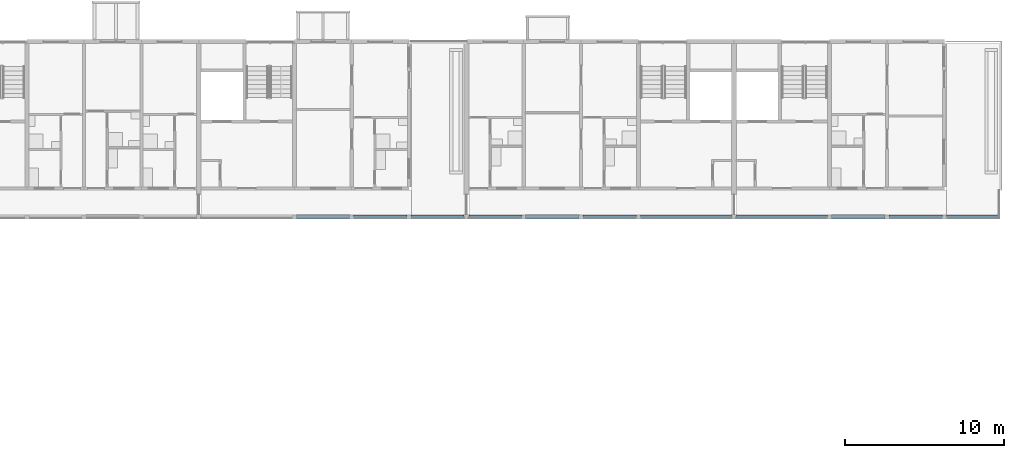
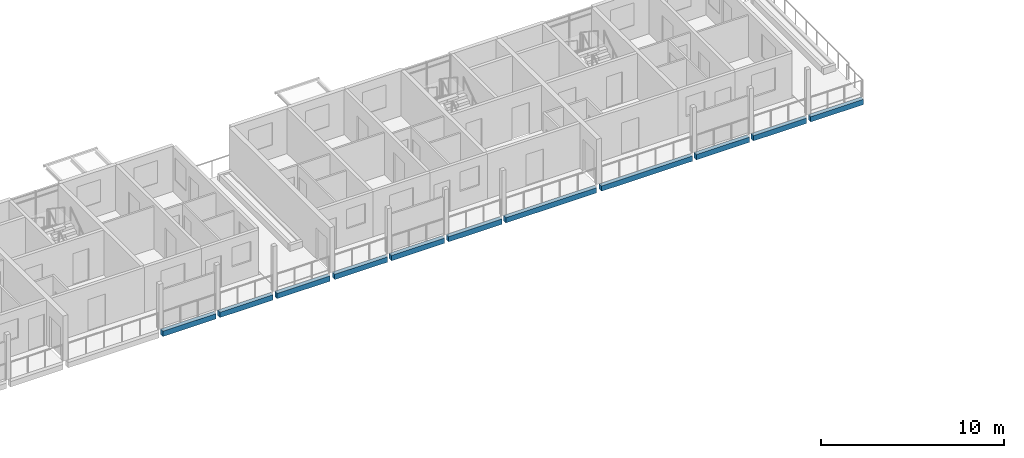
# One storey, part 19 of 94: 11 beams.
"""IFC4 building model written with IfcOpenShell, lengths in metres."""

from ifc_helpers import new_model, si_unit, direction, frame, origin, origin_2d, place, context, subcontext, project, spatial, rectangle, extrude, material, material_profile, profile_set, type_object, element, save


model = new_model("IFC4")

# Units and contexts
model_context = context("Model", 3, precision=1e-05, world=origin(), true_north=direction((0.0, 1.0)))
body_context = subcontext(model_context, "Body", "Model", "MODEL_VIEW")
ifc_project = project(units=[si_unit("LENGTHUNIT", "METRE"), si_unit("AREAUNIT", "SQUARE_METRE"), si_unit("VOLUMEUNIT", "CUBIC_METRE"), si_unit("PLANEANGLEUNIT", "RADIAN"), si_unit("MASSUNIT", "GRAM", prefix="KILO")], contexts=[model_context])

# Site, building, storey
site_placement = place(None, origin())
site = spatial("IfcSite", under=ifc_project, at=site_placement, CompositionType="ELEMENT")
building_placement = place(site_placement, origin())
building = spatial("IfcBuilding", under=site, at=building_placement, Name="Ridgestep Commons", CompositionType="ELEMENT")
storey_placement = place(building_placement, frame((0.0, 0.0, 21.0)))
storey = spatial("IfcBuildingStorey", under=building, at=storey_placement, Name="L07", CompositionType="ELEMENT", Elevation=21.0)

# Beams
ifc_material = material(Name="Precast concrete C40/50", Category="concrete")
ifc_material_profile = material_profile(ifc_material, rectangle(XDim=0.25, YDim=0.35009765625, at=origin_2d()), Name="PC 250x350")
ifc_profile_set = profile_set([ifc_material_profile], Name="Precast concrete C40/50")
beam_type = type_object("IfcBeamType", Name="Loggia edge beam 250 x 350", PredefinedType="SPANDREL", material=ifc_profile_set)
beam_1_placement = place(storey_placement, frame((203.324951171875, 66.125, -0.375), z_axis=(1.0, 0.0, 0.0), x_axis=(0.0, 1.0, 0.0)))
element("IfcBeam", 1, at=beam_1_placement, inside=storey, type_object=beam_type, Name="Loggia edge beam C4T3 L07", PredefinedType="SPANDREL", context=body_context, shape_type="SweptSolid", body=[
    extrude(rectangle(XDim=0.25, YDim=0.35009765625, at=origin_2d()), origin(), (0.0, 0.0, 1.0), 3.35009765625),
])
beam_2_placement = place(storey_placement, frame((206.925048828125, 66.125, -0.375), z_axis=(1.0, 0.0, 0.0), x_axis=(0.0, 1.0, 0.0)))
element("IfcBeam", 2, at=beam_2_placement, inside=storey, type_object=beam_type, Name="Loggia edge beam C4T2 L07", PredefinedType="SPANDREL", context=body_context, shape_type="SweptSolid", body=[
    extrude(rectangle(XDim=0.25, YDim=0.35009765625, at=origin_2d()), origin(), (0.0, 0.0, 1.0), 3.349853515625),
])
for number, where, z_axis, x_axis, name in (
    (3, (210.52490234375, 66.125, -0.375), (1.0, 0.0, 0.0), (0.0, 1.0, 0.0), "Loggia edge beam C4T1 L07"),
    (4, (214.14990234375, 66.125, -0.375), (1.0, 0.0, 0.0), (0.0, 1.0, 0.0), "Loggia edge beam C5T1 L07"),
):
    element("IfcBeam", number, at=place(storey_placement, frame(where, z_axis=z_axis, x_axis=x_axis)), inside=storey, type_object=beam_type, Name=name, PredefinedType="SPANDREL", context=body_context, shape_type="SweptSolid", body=[
        extrude(rectangle(XDim=0.25, YDim=0.35009765625, at=origin_2d()), origin(), (0.0, 0.0, 1.0), 3.3251953125),
    ])
beam_3_placement = place(storey_placement, frame((217.72509765625, 66.125, -0.375), z_axis=(1.0, 0.0, 0.0), x_axis=(0.0, 1.0, 0.0)))
element("IfcBeam", 5, at=beam_3_placement, inside=storey, type_object=beam_type, Name="Loggia edge beam C5T2 L07", PredefinedType="SPANDREL", context=body_context, shape_type="SweptSolid", body=[
    extrude(rectangle(XDim=0.25, YDim=0.35009765625, at=origin_2d()), origin(), (0.0, 0.0, 1.0), 3.349853515625),
])
beam_4_placement = place(storey_placement, frame((221.324951171875, 66.125, -0.375), z_axis=(1.0, 0.0, 0.0), x_axis=(0.0, 1.0, 0.0)))
element("IfcBeam", 6, at=beam_4_placement, inside=storey, type_object=beam_type, Name="Loggia edge beam C5T3 L07", PredefinedType="SPANDREL", context=body_context, shape_type="SweptSolid", body=[
    extrude(rectangle(XDim=0.25, YDim=0.35009765625, at=origin_2d()), origin(), (0.0, 0.0, 1.0), 3.35009765625),
])
beam_5_placement = place(storey_placement, frame((224.925048828125, 66.125, -0.375), z_axis=(1.0, 0.0, 0.0), x_axis=(0.0, 1.0, 0.0)))
element("IfcBeam", 7, at=beam_5_placement, inside=storey, type_object=beam_type, Name="Loggia edge beam C5C L07", PredefinedType="SPANDREL", context=body_context, shape_type="SweptSolid", body=[
    extrude(rectangle(XDim=0.25, YDim=0.35009765625, at=origin_2d()), origin(), (0.0, 0.0, 1.0), 5.724853515625),
])
beam_6_placement = place(storey_placement, frame((230.949951171875, 66.125, -0.375), z_axis=(1.0, 0.0, 0.0), x_axis=(0.0, 1.0, 0.0)))
element("IfcBeam", 8, at=beam_6_placement, inside=storey, type_object=beam_type, Name="Loggia edge beam C6C L07", PredefinedType="SPANDREL", context=body_context, shape_type="SweptSolid", body=[
    extrude(rectangle(XDim=0.25, YDim=0.35009765625, at=origin_2d()), origin(), (0.0, 0.0, 1.0), 5.72509765625),
])
beam_7_placement = place(storey_placement, frame((236.925048828125, 66.125, -0.375), z_axis=(1.0, 0.0, 0.0), x_axis=(0.0, 1.0, 0.0)))
element("IfcBeam", 9, at=beam_7_placement, inside=storey, type_object=beam_type, Name="Loggia edge beam C6T3 L07", PredefinedType="SPANDREL", context=body_context, shape_type="SweptSolid", body=[
    extrude(rectangle(XDim=0.25, YDim=0.35009765625, at=origin_2d()), origin(), (0.0, 0.0, 1.0), 3.349853515625),
])
beam_8_placement = place(storey_placement, frame((240.52490234375, 66.125, -0.375), z_axis=(1.0, 0.0, 0.0), x_axis=(0.0, 1.0, 0.0)))
element("IfcBeam", 10, at=beam_8_placement, inside=storey, type_object=beam_type, Name="Loggia edge beam C6T2 L07", PredefinedType="SPANDREL", context=body_context, shape_type="SweptSolid", body=[
    extrude(rectangle(XDim=0.25, YDim=0.35009765625, at=origin_2d()), origin(), (0.0, 0.0, 1.0), 3.35009765625),
])
beam_9_placement = place(storey_placement, frame((244.125, 66.125, -0.375), z_axis=(1.0, 0.0, 0.0), x_axis=(0.0, 1.0, 0.0)))
element("IfcBeam", 11, at=beam_9_placement, inside=storey, type_object=beam_type, Name="Loggia edge beam C6T1 L07", PredefinedType="SPANDREL", context=body_context, shape_type="SweptSolid", body=[
    extrude(rectangle(XDim=0.25, YDim=0.35009765625, at=origin_2d()), origin(), (0.0, 0.0, 1.0), 3.324951171875),
])

save(model, "model.ifc")
